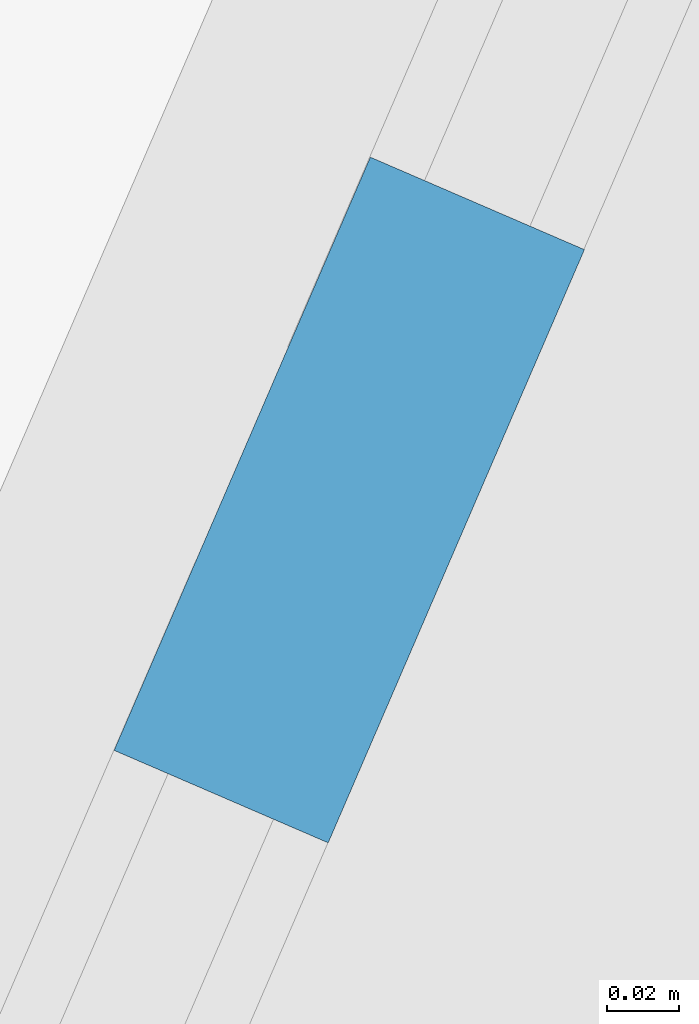
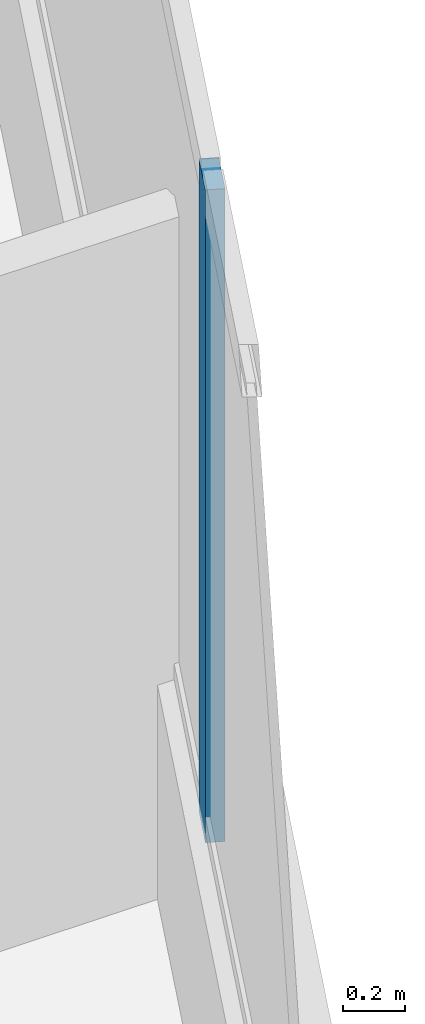
# One storey, part 4 of 11: 1 member, 1 element without a shape of its own.
"""IFC4 building model written with IfcOpenShell, lengths in metres."""

from ifc_helpers import new_model, si_unit, direction, frame, origin, origin_2d, place, context, subcontext, project, spatial, rectangle, extrude, material, layer, layer_set, material_profile, profile_set, type_object, element, aggregate, save


model = new_model("IFC4")

# Units and contexts
model_context = context("Model", 3, precision=1e-05, world=origin(), true_north=direction((0.0, 1.0)))
body_context = subcontext(model_context, "Body", "Model", "MODEL_VIEW")
ifc_project = project(units=[si_unit("LENGTHUNIT", "METRE"), si_unit("AREAUNIT", "SQUARE_METRE"), si_unit("VOLUMEUNIT", "CUBIC_METRE"), si_unit("PLANEANGLEUNIT", "RADIAN"), si_unit("MASSUNIT", "GRAM", prefix="KILO")], contexts=[model_context])

# Site, building, storey
site_placement = place(None, origin())
site = spatial("IfcSite", under=ifc_project, at=site_placement, CompositionType="ELEMENT")
building_placement = place(site_placement, origin())
building = spatial("IfcBuilding", under=site, at=building_placement, Name="Talyreon Biosciences Tower", CompositionType="ELEMENT")
storey_placement = place(building_placement, frame((0.0, 0.0, 283.800048828125)))
storey = spatial("IfcBuildingStorey", under=building, at=storey_placement, Name="L75", CompositionType="ELEMENT", Elevation=283.800048828125)

# Curtain wall, member
ifc_material_1 = material(Name="Thermally broken aluminium and low-E glazing", Category="aluminium")
ifc_layer = layer(ifc_material_1, 0.175048828125)
ifc_layer_set = layer_set([ifc_layer], Name="Thermally broken aluminium and low-E glazing")
curtain_wall_type = type_object("IfcCurtainWallType", Name="CurtainWall_Zone5CompLab", PredefinedType="NOTDEFINED", material=ifc_layer_set)
curtain_wall_placement = place(storey_placement, origin())
curtain_wall = element("IfcCurtainWall", 1, at=curtain_wall_placement, inside=storey, type_object=curtain_wall_type, Name="L75 Unitised Curtain Wall FCW-L75-08", PredefinedType="NOTDEFINED")
ifc_material_2 = material(Name="Anodised thermally broken aluminium", Category="aluminium")
ifc_material_profile = material_profile(ifc_material_2, rectangle(XDim=0.06494140625, YDim=0.179931640625, at=origin_2d()), Name="ALUM MULLION 65x180")
ifc_profile_set = profile_set([ifc_material_profile], Name="Anodised thermally broken aluminium")
member_type = type_object("IfcMemberType", Name="CWMullion_65x180", PredefinedType="MULLION", material=ifc_profile_set)
member_placement = place(storey_placement, frame((81.772216796875, 64.070556640625, 0.81005859375), z_axis=(0.0, 0.0, 1.0), x_axis=(0.918022435016, -0.396528446404, 0.0)))
member = element("IfcMember", 2, at=member_placement, type_object=member_type, Name="CW6 mullion 2", PredefinedType="MULLION", context=body_context, shape_type="SweptSolid", body=[
    extrude(rectangle(XDim=0.06494140625, YDim=0.179931640625, at=origin_2d()), origin(), (0.0, 0.0, 1.0), 2.58984375),
])
aggregate(curtain_wall, [member])

save(model, "model.ifc")
